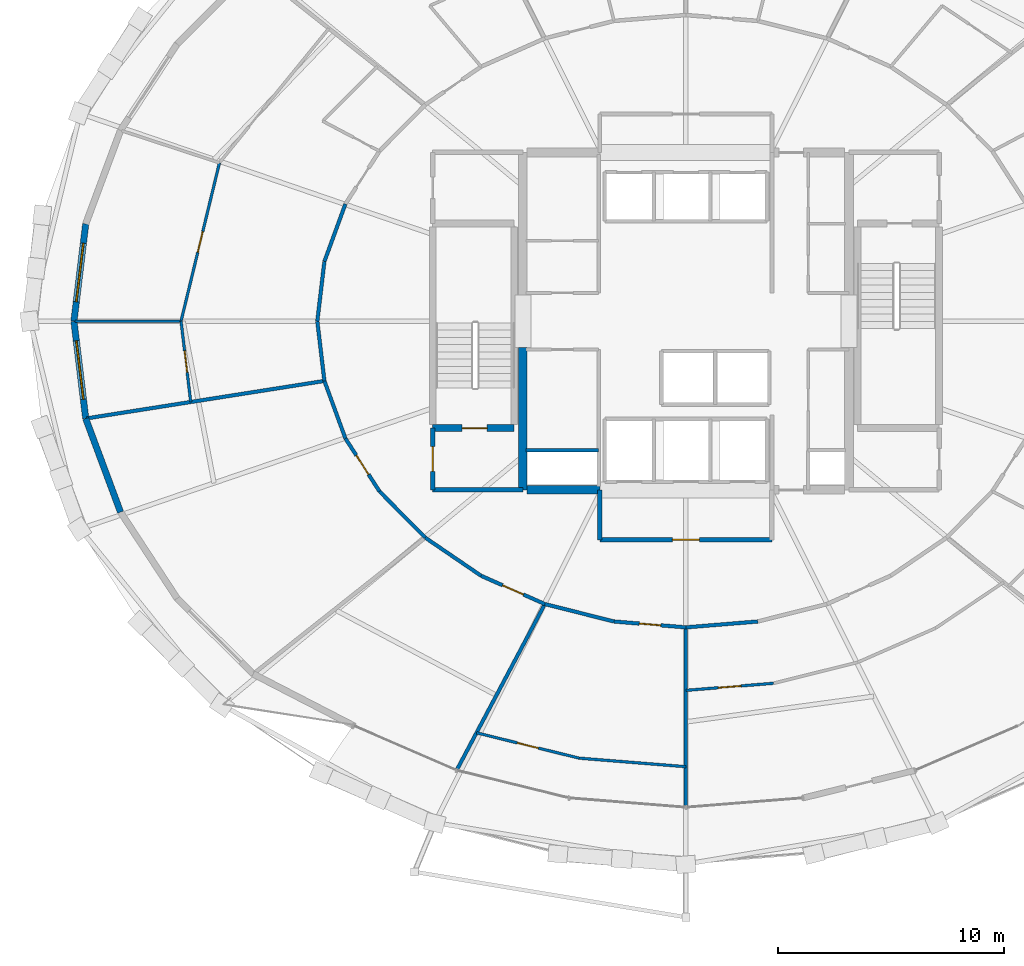
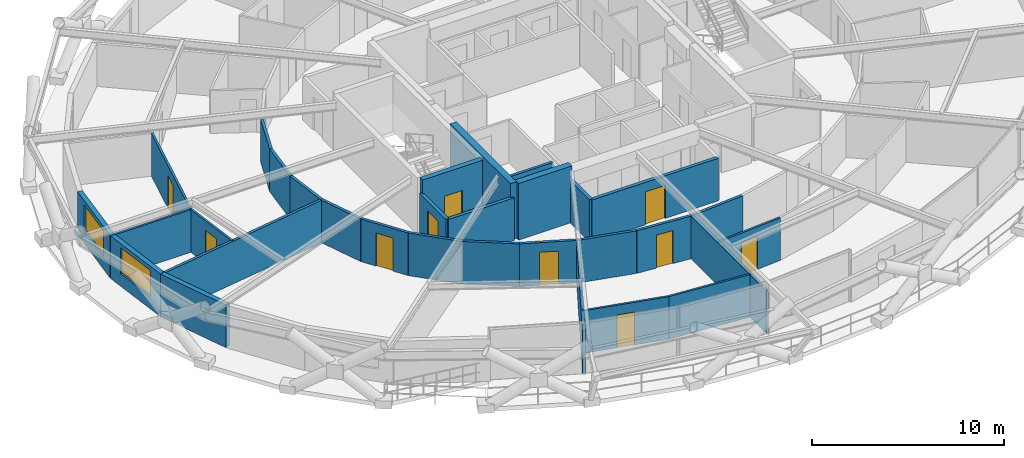
# One storey, part 13 of 20: 31 walls, 10 doors, 2 windows, 12 openings.
"""IFC4 building model written with IfcOpenShell, lengths in metres."""

from ifc_helpers import new_model, si_unit, direction, frame, frame_2d, origin, place, context, subcontext, project, spatial, rectangle, extrude, material, layer, layer_set, type_object, element, fill, save


model = new_model("IFC4")

# Units and contexts
model_context = context("Model", 3, precision=1e-05, world=origin(), true_north=direction((0.0, 1.0)))
body_context = subcontext(model_context, "Body", "Model", "MODEL_VIEW")
ifc_project = project(units=[si_unit("LENGTHUNIT", "METRE"), si_unit("AREAUNIT", "SQUARE_METRE"), si_unit("VOLUMEUNIT", "CUBIC_METRE"), si_unit("PLANEANGLEUNIT", "RADIAN"), si_unit("MASSUNIT", "GRAM", prefix="KILO")], contexts=[model_context])

# Site, building, storey
site_placement = place(None, origin())
site = spatial("IfcSite", under=ifc_project, at=site_placement, CompositionType="ELEMENT")
building_placement = place(site_placement, origin())
building = spatial("IfcBuilding", under=site, at=building_placement, Name="Veldorina Hangang Commons", CompositionType="ELEMENT")
storey_placement = place(building_placement, frame((0.0, 0.0, 84.39990234375)))
storey = spatial("IfcBuildingStorey", under=building, at=storey_placement, Name="L21", CompositionType="ELEMENT", Elevation=84.39990234375)

# Walls
ifc_material_1 = material(Name="Concrete C70/85", Category="concrete")
ifc_layer_1 = layer(ifc_material_1, 0.3798828125)
ifc_layer_set_1 = layer_set([ifc_layer_1], Name="Concrete C70/85")
wall_type_1 = type_object("IfcWallType", Name="CW-RC380-C70", PredefinedType="SHEAR", material=ifc_layer_set_1)
wall_1_placement = place(storey_placement, frame((24.800048828125, 16.550048828125, 0.0), z_axis=(0.0, 0.0, 1.0), x_axis=(0.0, 1.0, 0.0)))
element("IfcWall", 1, at=wall_1_placement, inside=storey, type_object=wall_type_1, Name="L21 W south core shear wall", PredefinedType="SHEAR", context=body_context, shape_type="SweptSolid", body=[
    extrude(rectangle(XDim=6.300048828125, YDim=0.3798828125, at=frame_2d((3.14990234375, 0.0))), origin(), (0.0, 0.0, 1.0), 3.60009765625),
])
wall_2_placement = place(storey_placement, frame((24.989990234375, 16.550048828125, 0.0), z_axis=(0.0, 0.0, 1.0), x_axis=(1.0, 0.0, 0.0)))
element("IfcWall", 2, at=wall_2_placement, inside=storey, type_object=wall_type_1, Name="L21 south-west core shear wall", PredefinedType="SHEAR", context=body_context, shape_type="SweptSolid", body=[
    extrude(rectangle(XDim=3.2099609375, YDim=0.3798828125, at=frame_2d((1.60498046875, 0.0))), origin(), (0.0, 0.0, 1.0), 3.60009765625),
])

# Wall, opening, window
ifc_material_2 = material(Name="Stone Roman Travertine", Category="masonry")
ifc_layer_2 = layer(ifc_material_2, 0.280029296875)
ifc_layer_set_2 = layer_set([ifc_layer_2], Name="Stone Roman Travertine")
wall_type_2 = type_object("IfcWallType", Name="EW-TRAV-280", PredefinedType="STANDARD", material=ifc_layer_set_2)
wall_3_placement = place(storey_placement, frame((5.500244140625, 28.296875, 0.0), z_axis=(0.0, 0.0, 1.0), x_axis=(-0.119979283707, -0.99277639551, 0.0)))
wall_3 = element("IfcWall", 3, at=wall_3_placement, inside=storey, type_object=wall_type_2, Name="L21 travertine facade wall 15", PredefinedType="STANDARD", context=body_context, shape_type="SweptSolid", body=[
    extrude(rectangle(XDim=4.328125, YDim=0.280029296875, at=frame_2d((2.1640625, 0.0))), origin(), (0.0, 0.0, 1.0), 2.710205078125),
])
opening_1_placement = place(wall_3_placement, frame((0.864013671875, 0.0, 0.800048828125)))
opening_1 = element("IfcOpeningElement", 4, at=opening_1_placement, cuts=wall_3, Name="Opening W-02", PredefinedType="OPENING", context=body_context, shape_type="SweptSolid", body=[
    extrude(rectangle(XDim=2.60009765625, YDim=1.64990234375, at=frame_2d((1.300048828125, 0.824951171875))), frame((0.0, 0.14990234375, 0.0), z_axis=(0.0, -1.0, 0.0), x_axis=(1.0, 0.0, 0.0)), (0.0, 0.0, 1.0), 0.300048828125),
])
ifc_material_3 = material(Name="Glass Low-E Triple IGU", Category="glass")
window_type = type_object("IfcWindowType", Name="WIN-TWR-2600", PartitioningType="SINGLE_PANEL", PredefinedType="WINDOW", material=ifc_material_3)
window_1_placement = place(opening_1_placement, origin())
window_1 = element("IfcWindow", 5, at=window_1_placement, inside=storey, type_object=window_type, Name="L21 facade window 15", OverallHeight=1.64990234375, OverallWidth=2.60009765625, PartitioningType="SINGLE_PANEL", PredefinedType="WINDOW", context=body_context, shape_type="SweptSolid", body=[
    extrude(rectangle(XDim=2.60009765625, YDim=1.64990234375, at=frame_2d((1.300048828125, 0.824951171875))), frame((0.0, 0.030029296875, 0.0), z_axis=(0.0, -1.0, 0.0), x_axis=(1.0, 0.0, 0.0)), (0.0, 0.0, 1.0), 0.06005859375),
])
fill(opening_1, window_1)

wall_4_placement = place(storey_placement, frame((4.98095703125, 24.0, 0.0), z_axis=(0.0, 0.0, 1.0), x_axis=(0.119979283707, -0.99277639551, 0.0)))
wall_4 = element("IfcWall", 6, at=wall_4_placement, inside=storey, type_object=wall_type_2, Name="L21 travertine facade wall 16", PredefinedType="STANDARD", context=body_context, shape_type="SweptSolid", body=[
    extrude(rectangle(XDim=4.328125, YDim=0.280029296875, at=frame_2d((2.1640625, 0.0))), origin(), (0.0, 0.0, 1.0), 2.710205078125),
])
opening_2_placement = place(wall_4_placement, frame((0.864013671875, 0.0, 0.800048828125)))
opening_2 = element("IfcOpeningElement", 7, at=opening_2_placement, cuts=wall_4, Name="Opening W-02", PredefinedType="OPENING", context=body_context, shape_type="SweptSolid", body=[
    extrude(rectangle(XDim=2.60009765625, YDim=1.64990234375, at=frame_2d((1.300048828125, 0.824951171875))), frame((0.0, 0.14990234375, 0.0), z_axis=(0.0, -1.0, 0.0), x_axis=(1.0, 0.0, 0.0)), (0.0, 0.0, 1.0), 0.300048828125),
])
window_2_placement = place(opening_2_placement, origin())
window_2 = element("IfcWindow", 8, at=window_2_placement, inside=storey, type_object=window_type, Name="L21 facade window 16", OverallHeight=1.64990234375, OverallWidth=2.60009765625, PartitioningType="SINGLE_PANEL", PredefinedType="WINDOW", context=body_context, shape_type="SweptSolid", body=[
    extrude(rectangle(XDim=2.60009765625, YDim=1.64990234375, at=frame_2d((1.300048828125, 0.824951171875))), frame((0.0, 0.030029296875, 0.0), z_axis=(0.0, -1.0, 0.0), x_axis=(1.0, 0.0, 0.0)), (0.0, 0.0, 1.0), 0.06005859375),
])
fill(opening_2, window_2)

# Wall
wall_5_placement = place(storey_placement, frame((5.500244140625, 19.703125, 0.0), z_axis=(0.0, 0.0, 1.0), x_axis=(0.348719005739, -0.937227323031, 0.0)))
element("IfcWall", 9, at=wall_5_placement, inside=storey, type_object=wall_type_2, Name="L21 travertine facade wall 17", PredefinedType="STANDARD", context=body_context, shape_type="SweptSolid", body=[
    extrude(rectangle(XDim=4.40869140625, YDim=0.280029296875, at=frame_2d((2.204345703125, 0.0))), origin(), (0.0, 0.0, 1.0), 2.710205078125),
])

# Wall, opening, door
ifc_material_4 = material(Name="Concrete C50/60", Category="concrete")
ifc_layer_3 = layer(ifc_material_4, 0.300048828125)
ifc_layer_set_3 = layer_set([ifc_layer_3], Name="Concrete C50/60")
wall_type_3 = type_object("IfcWallType", Name="SW-STAIR-300", PredefinedType="SHEAR", material=ifc_layer_set_3)
wall_6_placement = place(storey_placement, frame((20.820068359375, 19.280029296875, 0.0), z_axis=(0.0, 0.0, 1.0), x_axis=(1.0, 0.0, 0.0)))
wall_6 = element("IfcWall", 10, at=wall_6_placement, inside=storey, type_object=wall_type_3, Name="L21 ST1 south stair shear wall", PredefinedType="SHEAR", context=body_context, shape_type="SweptSolid", body=[
    extrude(rectangle(XDim=3.599853515625, YDim=0.300048828125, at=frame_2d((1.7998046875, 0.0))), origin(), (0.0, 0.0, 1.0), 3.60009765625),
])
opening_3_placement = place(wall_6_placement, frame((1.300048828125, 0.0, 0.0)))
opening_3 = element("IfcOpeningElement", 11, at=opening_3_placement, cuts=wall_6, Name="Opening D-08", PredefinedType="OPENING", context=body_context, shape_type="SweptSolid", body=[
    extrude(rectangle(XDim=1.10009765625, YDim=2.10009765625, at=frame_2d((0.550048828125, 1.050048828125))), frame((0.0, 0.16015625, 0.0), z_axis=(0.0, -1.0, 0.0), x_axis=(1.0, 0.0, 0.0)), (0.0, 0.0, 1.0), 0.320068359375),
])
ifc_material_5 = material(Name="Steel Fire-Rated Smoke Seal", Category="steel")
door_type_1 = type_object("IfcDoorType", Name="DR-FIRE-1100", OperationType="SINGLE_SWING_RIGHT", PredefinedType="DOOR", material=ifc_material_5)
door_1_placement = place(opening_3_placement, origin())
door_1 = element("IfcDoor", 12, at=door_1_placement, inside=storey, type_object=door_type_1, Name="L21 Special Escape Stair ST-1 door", OperationType="SINGLE_SWING_LEFT", OverallHeight=2.10009765625, OverallWidth=1.10009765625, PredefinedType="DOOR", context=body_context, shape_type="SweptSolid", body=[
    extrude(rectangle(XDim=1.10009765625, YDim=2.10009765625, at=frame_2d((0.550048828125, 1.050048828125))), frame((0.0, 0.02490234375, 0.0), z_axis=(0.0, -1.0, 0.0), x_axis=(1.0, 0.0, 0.0)), (0.0, 0.0, 1.0), 0.050048828125),
])
fill(opening_3, door_1)

# Walls
ifc_material_6 = material(Name="Gypsum Fire-Rated Twin Stud Wall", Category="gypsum")
ifc_layer_4 = layer(ifc_material_6, 0.159912109375)
ifc_layer_set_4 = layer_set([ifc_layer_4], Name="Gypsum Fire-Rated Twin Stud Wall")
wall_type_4 = type_object("IfcWallType", Name="WL-FIRE-160", PredefinedType="SOLIDWALL", material=ifc_layer_set_4)
wall_7_placement = place(storey_placement, frame((24.949951171875, 18.300048828125, 0.0), z_axis=(0.0, 0.0, 1.0), x_axis=(1.0, 0.0, 0.0)))
element("IfcWall", 13, at=wall_7_placement, inside=storey, type_object=wall_type_4, Name="L21 Electrical riser wall 035", PredefinedType="SOLIDWALL", context=body_context, shape_type="SweptSolid", body=[
    extrude(rectangle(XDim=3.199951171875, YDim=0.159912109375, at=frame_2d((1.60009765625, 0.0))), origin(), (0.0, 0.0, 1.0), 2.710205078125),
])
wall_8_placement = place(storey_placement, frame((16.96484375, 29.173095703125, 0.0), z_axis=(0.0, 0.0, 1.0), x_axis=(-0.343013437329, -0.939330496583, 0.0)))
element("IfcWall", 14, at=wall_8_placement, inside=storey, type_object=wall_type_4, Name="L21 Corridor outer wall 14 061", PredefinedType="SOLIDWALL", context=body_context, shape_type="SweptSolid", body=[
    extrude(rectangle(XDim=2.69970703125, YDim=0.159912109375, at=frame_2d((1.349853515625, 0.0))), origin(), (0.0, 0.0, 1.0), 2.710205078125),
])
for number, where, z_axis, x_axis, name in (
    (15, (16.038818359375, 26.63720703125, 0.0), (0.0, 0.0, 1.0), (-0.117763961213, -0.99304161516, 0.0), "L21 Corridor outer wall 15 062"),
    (16, (15.72607421875, 24.0, 0.0), (0.0, 0.0, 1.0), (0.117763961213, -0.99304161516, 0.0), "L21 Corridor outer wall 16 063"),
):
    element("IfcWall", number, at=place(storey_placement, frame(where, z_axis=z_axis, x_axis=x_axis)), inside=storey, type_object=wall_type_4, Name=name, PredefinedType="SOLIDWALL", context=body_context, shape_type="SweptSolid", body=[
        extrude(rectangle(XDim=2.65576171875, YDim=0.159912109375, at=frame_2d((1.327880859375, 0.0))), origin(), (0.0, 0.0, 1.0), 2.710205078125),
    ])
wall_9_placement = place(storey_placement, frame((16.038818359375, 21.36279296875, 0.0), z_axis=(0.0, 0.0, 1.0), x_axis=(0.343013437329, -0.939330496583, 0.0)))
element("IfcWall", 17, at=wall_9_placement, inside=storey, type_object=wall_type_4, Name="L21 Corridor outer wall 17 064", PredefinedType="SOLIDWALL", context=body_context, shape_type="SweptSolid", body=[
    extrude(rectangle(XDim=2.69970703125, YDim=0.159912109375, at=frame_2d((1.349853515625, 0.0))), origin(), (0.0, 0.0, 1.0), 2.710205078125),
])

# Wall, opening, door
wall_10_placement = place(storey_placement, frame((16.96484375, 18.826904296875, 0.0), z_axis=(0.0, 0.0, 1.0), x_axis=(0.541126045017, -0.840941498206, 0.0)))
wall_10 = element("IfcWall", 18, at=wall_10_placement, inside=storey, type_object=wall_type_4, Name="L21 Corridor outer wall 18 065", PredefinedType="SOLIDWALL", context=body_context, shape_type="SweptSolid", body=[
    extrude(rectangle(XDim=2.779296875, YDim=0.159912109375, at=frame_2d((1.3896484375, 0.0))), origin(), (0.0, 0.0, 1.0), 2.710205078125),
])
opening_4_placement = place(wall_10_placement, frame((0.8896484375, 0.0, 0.0)))
opening_4 = element("IfcOpeningElement", 19, at=opening_4_placement, cuts=wall_10, Name="Opening D-05", PredefinedType="OPENING", context=body_context, shape_type="SweptSolid", body=[
    extrude(rectangle(XDim=1.0, YDim=2.10009765625, at=frame_2d((0.5, 1.050048828125))), frame((0.0, 0.08984375, 0.0), z_axis=(0.0, -1.0, 0.0), x_axis=(1.0, 0.0, 0.0)), (0.0, 0.0, 1.0), 0.179931640625),
])
ifc_material_7 = material(Name="Timber Solid Core Acoustic", Category="wood")
door_type_2 = type_object("IfcDoorType", Name="DR-INT-1000", OperationType="SINGLE_SWING_RIGHT", PredefinedType="DOOR", material=ifc_material_7)
door_2_placement = place(opening_4_placement, origin())
door_2 = element("IfcDoor", 20, at=door_2_placement, inside=storey, type_object=door_type_2, Name="L21 Floor Study Room 11 door 042", OperationType="SINGLE_SWING_RIGHT", OverallHeight=2.10009765625, OverallWidth=1.0, PredefinedType="DOOR", context=body_context, shape_type="SweptSolid", body=[
    extrude(rectangle(XDim=1.0, YDim=2.10009765625, at=frame_2d((0.5, 1.050048828125))), frame((0.0, 0.02490234375, 0.0), z_axis=(0.0, -1.0, 0.0), x_axis=(1.0, 0.0, 0.0)), (0.0, 0.0, 1.0), 0.050048828125),
])
fill(opening_4, door_2)

# Walls
wall_11_placement = place(storey_placement, frame((18.46875, 16.48974609375, 0.0), z_axis=(0.0, 0.0, 1.0), x_axis=(0.702811997, -0.711375636969, 0.0)))
element("IfcWall", 21, at=wall_11_placement, inside=storey, type_object=wall_type_4, Name="L21 Corridor outer wall 19 066", PredefinedType="SOLIDWALL", context=body_context, shape_type="SweptSolid", body=[
    extrude(rectangle(XDim=2.87939453125, YDim=0.159912109375, at=frame_2d((1.439697265625, 0.0))), origin(), (0.0, 0.0, 1.0), 2.710205078125),
])
wall_12_placement = place(storey_placement, frame((20.492431640625, 14.44140625, 0.0), z_axis=(0.0, 0.0, 1.0), x_axis=(0.826293096206, -0.56324037423, 0.0)))
element("IfcWall", 22, at=wall_12_placement, inside=storey, type_object=wall_type_4, Name="L21 Corridor outer wall 20 067", PredefinedType="SOLIDWALL", context=body_context, shape_type="SweptSolid", body=[
    extrude(rectangle(XDim=2.98486328125, YDim=0.159912109375, at=frame_2d((1.492431640625, 0.0))), origin(), (0.0, 0.0, 1.0), 2.710205078125),
])

# Wall, opening, door
wall_13_placement = place(storey_placement, frame((22.958740234375, 12.76025390625, 0.0), z_axis=(0.0, 0.0, 1.0), x_axis=(0.913952123493, -0.405822024984, 0.0)))
wall_13 = element("IfcWall", 23, at=wall_13_placement, inside=storey, type_object=wall_type_4, Name="L21 Corridor outer wall 21 068", PredefinedType="SOLIDWALL", context=body_context, shape_type="SweptSolid", body=[
    extrude(rectangle(XDim=3.078369140625, YDim=0.159912109375, at=frame_2d((1.5390625, 0.0))), origin(), (0.0, 0.0, 1.0), 2.710205078125),
])
opening_5_placement = place(wall_13_placement, frame((1.039306640625, 0.0, 0.0)))
opening_5 = element("IfcOpeningElement", 24, at=opening_5_placement, cuts=wall_13, Name="Opening D-05", PredefinedType="OPENING", context=body_context, shape_type="SweptSolid", body=[
    extrude(rectangle(XDim=1.0, YDim=2.10009765625, at=frame_2d((0.5, 1.050048828125))), frame((0.0, 0.08984375, 0.0), z_axis=(0.0, -1.0, 0.0), x_axis=(1.0, 0.0, 0.0)), (0.0, 0.0, 1.0), 0.179931640625),
])
door_3_placement = place(opening_5_placement, origin())
door_3 = element("IfcDoor", 25, at=door_3_placement, inside=storey, type_object=door_type_2, Name="L21 Seminar Focus Room 12 door 043", OperationType="SINGLE_SWING_LEFT", OverallHeight=2.10009765625, OverallWidth=1.0, PredefinedType="DOOR", context=body_context, shape_type="SweptSolid", body=[
    extrude(rectangle(XDim=1.0, YDim=2.10009765625, at=frame_2d((0.5, 1.050048828125))), frame((0.0, 0.02490234375, 0.0), z_axis=(0.0, -1.0, 0.0), x_axis=(1.0, 0.0, 0.0)), (0.0, 0.0, 1.0), 0.050048828125),
])
fill(opening_5, door_3)

# Wall
wall_14_placement = place(storey_placement, frame((25.772216796875, 11.510986328125, 0.0), z_axis=(0.0, 0.0, 1.0), x_axis=(0.969689238064, -0.244341526521, 0.0)))
element("IfcWall", 26, at=wall_14_placement, inside=storey, type_object=wall_type_4, Name="L21 Corridor outer wall 22 069", PredefinedType="SOLIDWALL", context=body_context, shape_type="SweptSolid", body=[
    extrude(rectangle(XDim=3.1484375, YDim=0.159912109375, at=frame_2d((1.57421875, 0.0))), origin(), (0.0, 0.0, 1.0), 2.710205078125),
])

# Wall, opening, door
wall_15_placement = place(storey_placement, frame((28.8251953125, 10.74169921875, 0.0), z_axis=(0.0, 0.0, 1.0), x_axis=(0.996669377538, -0.081548463373, 0.0)))
wall_15 = element("IfcWall", 27, at=wall_15_placement, inside=storey, type_object=wall_type_4, Name="L21 Corridor outer wall 23 070", PredefinedType="SOLIDWALL", context=body_context, shape_type="SweptSolid", body=[
    extrude(rectangle(XDim=3.185302734375, YDim=0.159912109375, at=frame_2d((1.5927734375, 0.0))), origin(), (0.0, 0.0, 1.0), 2.710205078125),
])
opening_6_placement = place(wall_15_placement, frame((1.117919921875, 0.0, 0.0)))
opening_6 = element("IfcOpeningElement", 28, at=opening_6_placement, cuts=wall_15, Name="Opening D-02", PredefinedType="OPENING", context=body_context, shape_type="SweptSolid", body=[
    extrude(rectangle(XDim=0.949951171875, YDim=2.10009765625, at=frame_2d((0.47509765625, 1.050048828125))), frame((0.0, 0.08984375, 0.0), z_axis=(0.0, -1.0, 0.0), x_axis=(1.0, 0.0, 0.0)), (0.0, 0.0, 1.0), 0.179931640625),
])
door_type_3 = type_object("IfcDoorType", Name="DR-INT-950", OperationType="SINGLE_SWING_LEFT", PredefinedType="DOOR", material=ifc_material_7)
door_4_placement = place(opening_6_placement, origin())
door_4 = element("IfcDoor", 29, at=door_4_placement, inside=storey, type_object=door_type_3, Name="L21 Linen drying store door 044", OperationType="SINGLE_SWING_RIGHT", OverallHeight=2.10009765625, OverallWidth=0.949951171875, PredefinedType="DOOR", context=body_context, shape_type="SweptSolid", body=[
    extrude(rectangle(XDim=0.949951171875, YDim=2.10009765625, at=frame_2d((0.47509765625, 1.050048828125))), frame((0.0, 0.02490234375, 0.0), z_axis=(0.0, -1.0, 0.0), x_axis=(1.0, 0.0, 0.0)), (0.0, 0.0, 1.0), 0.050048828125),
])
fill(opening_6, door_4)

# Walls
wall_16_placement = place(storey_placement, frame((32.0, 10.48193359375, 0.0), z_axis=(0.0, 0.0, 1.0), x_axis=(0.996669377538, 0.081548463373, 0.0)))
element("IfcWall", 30, at=wall_16_placement, inside=storey, type_object=wall_type_4, Name="L21 Corridor outer wall 24 071", PredefinedType="SOLIDWALL", context=body_context, shape_type="SweptSolid", body=[
    extrude(rectangle(XDim=3.185302734375, YDim=0.159912109375, at=frame_2d((1.5927734375, 0.0))), origin(), (0.0, 0.0, 1.0), 2.710205078125),
])
wall_17_placement = place(storey_placement, frame((32.0, 10.48193359375, 0.0), z_axis=(0.0, 0.0, 1.0), x_axis=(0.0, -1.0, 0.0)))
element("IfcWall", 31, at=wall_17_placement, inside=storey, type_object=wall_type_4, Name="L21 Unit party wall 24 079", PredefinedType="SOLIDWALL", context=body_context, shape_type="SweptSolid", body=[
    extrude(rectangle(XDim=7.897216796875, YDim=0.159912109375, at=frame_2d((3.94873046875, 0.0))), origin(), (0.0, 0.0, 1.0), 2.710205078125),
])
wall_18_placement = place(storey_placement, frame((16.038818359375, 21.36279296875, 0.0), z_axis=(0.0, 0.0, 1.0), x_axis=(-0.987825895071, -0.15556349516, 0.0)))
element("IfcWall", 32, at=wall_18_placement, inside=storey, type_object=wall_type_4, Name="L21 Unit party wall 17 116", PredefinedType="SOLIDWALL", context=body_context, shape_type="SweptSolid", body=[
    extrude(rectangle(XDim=10.618408203125, YDim=0.159912109375, at=frame_2d((5.30908203125, 0.0))), origin(), (0.0, 0.0, 1.0), 2.710205078125),
])
wall_19_placement = place(storey_placement, frame((25.772216796875, 11.510986328125, 0.0), z_axis=(0.0, 0.0, 1.0), x_axis=(-0.468886600341, -0.883258374441, 0.0)))
element("IfcWall", 33, at=wall_19_placement, inside=storey, type_object=wall_type_4, Name="L21 Unit party wall 22 118", PredefinedType="SOLIDWALL", context=body_context, shape_type="SweptSolid", body=[
    extrude(rectangle(XDim=8.2626953125, YDim=0.159912109375, at=frame_2d((4.13134765625, 0.0))), origin(), (0.0, 0.0, 1.0), 2.710205078125),
])

# Wall, opening, door
ifc_material_8 = material(Name="Concrete Blockwork Fire Wall C30/37", Category="masonry")
ifc_layer_5 = layer(ifc_material_8, 0.199951171875)
ifc_layer_set_5 = layer_set([ifc_layer_5], Name="Concrete Blockwork Fire Wall C30/37")
wall_type_5 = type_object("IfcWallType", Name="WL-FIRE-200", PredefinedType="SOLIDWALL", material=ifc_layer_set_5)
wall_20_placement = place(storey_placement, frame((20.820068359375, 16.550048828125, 0.0), z_axis=(0.0, 0.0, 1.0), x_axis=(0.0, 1.0, 0.0)))
wall_20 = element("IfcWall", 34, at=wall_20_placement, inside=storey, type_object=wall_type_5, Name="L21 West vestibule outer wall 001", PredefinedType="SOLIDWALL", context=body_context, shape_type="SweptSolid", body=[
    extrude(rectangle(XDim=2.72998046875, YDim=0.199951171875, at=frame_2d((1.364990234375, 0.0))), origin(), (0.0, 0.0, 1.0), 2.710205078125),
])
opening_7_placement = place(wall_20_placement, frame((0.81494140625, 0.0, 0.0)))
opening_7 = element("IfcOpeningElement", 35, at=opening_7_placement, cuts=wall_20, Name="Opening D-08", PredefinedType="OPENING", context=body_context, shape_type="SweptSolid", body=[
    extrude(rectangle(XDim=1.10009765625, YDim=2.10009765625, at=frame_2d((0.550048828125, 1.050048828125))), frame((0.0, 0.10986328125, 0.0), z_axis=(0.0, -1.0, 0.0), x_axis=(1.0, 0.0, 0.0)), (0.0, 0.0, 1.0), 0.219970703125),
])
door_5_placement = place(opening_7_placement, origin())
door_5 = element("IfcDoor", 36, at=door_5_placement, inside=storey, type_object=door_type_1, Name="L21 West vestibule west door 001", OperationType="SINGLE_SWING_LEFT", OverallHeight=2.10009765625, OverallWidth=1.10009765625, PredefinedType="DOOR", context=body_context, shape_type="SweptSolid", body=[
    extrude(rectangle(XDim=1.10009765625, YDim=2.10009765625, at=frame_2d((0.550048828125, 1.050048828125))), frame((0.0, 0.02490234375, 0.0), z_axis=(0.0, -1.0, 0.0), x_axis=(1.0, 0.0, 0.0)), (0.0, 0.0, 1.0), 0.050048828125),
])
fill(opening_7, door_5)

# Walls
wall_21_placement = place(storey_placement, frame((20.820068359375, 16.550048828125, 0.0), z_axis=(0.0, 0.0, 1.0), x_axis=(1.0, 0.0, 0.0)))
element("IfcWall", 37, at=wall_21_placement, inside=storey, type_object=wall_type_5, Name="L21 West vestibule south wall 002", PredefinedType="SOLIDWALL", context=body_context, shape_type="SweptSolid", body=[
    extrude(rectangle(XDim=3.97998046875, YDim=0.199951171875, at=frame_2d((1.989990234375, 0.0))), origin(), (0.0, 0.0, 1.0), 2.710205078125),
])
wall_22_placement = place(storey_placement, frame((28.199951171875, 14.35009765625, 0.0), z_axis=(0.0, 0.0, 1.0), x_axis=(0.0, 1.0, 0.0)))
element("IfcWall", 38, at=wall_22_placement, inside=storey, type_object=wall_type_5, Name="L21 FF lobby west wall 012", PredefinedType="SOLIDWALL", context=body_context, shape_type="SweptSolid", body=[
    extrude(rectangle(XDim=2.199951171875, YDim=0.199951171875, at=frame_2d((1.10009765625, 0.0))), origin(), (0.0, 0.0, 1.0), 2.710205078125),
])

# Wall, opening, door
wall_23_placement = place(storey_placement, frame((28.199951171875, 14.35009765625, 0.0), z_axis=(0.0, 0.0, 1.0), x_axis=(1.0, 0.0, 0.0)))
wall_23 = element("IfcWall", 39, at=wall_23_placement, inside=storey, type_object=wall_type_5, Name="L21 FF lobby south wall 014", PredefinedType="SOLIDWALL", context=body_context, shape_type="SweptSolid", body=[
    extrude(rectangle(XDim=7.60009765625, YDim=0.199951171875, at=frame_2d((3.800048828125, 0.0))), origin(), (0.0, 0.0, 1.0), 2.710205078125),
])
opening_8_placement = place(wall_23_placement, frame((3.199951171875, 0.0, 0.0)))
opening_8 = element("IfcOpeningElement", 40, at=opening_8_placement, cuts=wall_23, Name="Opening D-09", PredefinedType="OPENING", context=body_context, shape_type="SweptSolid", body=[
    extrude(rectangle(XDim=1.199951171875, YDim=2.10009765625, at=frame_2d((0.60009765625, 1.050048828125))), frame((0.0, 0.10986328125, 0.0), z_axis=(0.0, -1.0, 0.0), x_axis=(1.0, 0.0, 0.0)), (0.0, 0.0, 1.0), 0.219970703125),
])
ifc_material_9 = material(Name="Steel Fire-Rated Corridor Door", Category="steel")
door_type_4 = type_object("IfcDoorType", Name="DR-FIRE-1200", OperationType="SINGLE_SWING_LEFT", PredefinedType="DOOR", material=ifc_material_9)
door_6_placement = place(opening_8_placement, origin())
door_6 = element("IfcDoor", 41, at=door_6_placement, inside=storey, type_object=door_type_4, Name="L21 FF lobby south corridor door 005", OperationType="SINGLE_SWING_LEFT", OverallHeight=2.10009765625, OverallWidth=1.199951171875, PredefinedType="DOOR", context=body_context, shape_type="SweptSolid", body=[
    extrude(rectangle(XDim=1.199951171875, YDim=2.10009765625, at=frame_2d((0.60009765625, 1.050048828125))), frame((0.0, 0.02490234375, 0.0), z_axis=(0.0, -1.0, 0.0), x_axis=(1.0, 0.0, 0.0)), (0.0, 0.0, 1.0), 0.050048828125),
])
fill(opening_8, door_6)

ifc_material_10 = material(Name="Gypsum Acoustic Stud Partition", Category="gypsum")
ifc_layer_6 = layer(ifc_material_10, 0.1201171875)
ifc_layer_set_6 = layer_set([ifc_layer_6], Name="Gypsum Acoustic Stud Partition")
wall_type_6 = type_object("IfcWallType", Name="WL-PART-120", PredefinedType="PARTITIONING", material=ifc_layer_set_6)
wall_24_placement = place(storey_placement, frame((32.0, 7.700439453125, 0.0), z_axis=(0.0, 0.0, 1.0), x_axis=(0.996741082565, 0.080667306436, 0.0)))
wall_24 = element("IfcWall", 42, at=wall_24_placement, inside=storey, type_object=wall_type_6, Name="L21 Lounge alcove split 0 080", PredefinedType="PARTITIONING", context=body_context, shape_type="SweptSolid", body=[
    extrude(rectangle(XDim=3.883056640625, YDim=0.1201171875, at=frame_2d((1.94140625, 0.0))), origin(), (0.0, 0.0, 1.0), 2.710205078125),
])
opening_9_placement = place(wall_24_placement, frame((1.441650390625, 0.0, 0.0)))
opening_9 = element("IfcOpeningElement", 43, at=opening_9_placement, cuts=wall_24, Name="Opening D-05", PredefinedType="OPENING", context=body_context, shape_type="SweptSolid", body=[
    extrude(rectangle(XDim=1.0, YDim=2.10009765625, at=frame_2d((0.5, 1.050048828125))), frame((0.0, 0.070068359375, 0.0), z_axis=(0.0, -1.0, 0.0), x_axis=(1.0, 0.0, 0.0)), (0.0, 0.0, 1.0), 0.14013671875),
])
door_7_placement = place(opening_9_placement, origin())
door_7 = element("IfcDoor", 44, at=door_7_placement, inside=storey, type_object=door_type_2, Name="L21 Commons lounge door 020", OperationType="SINGLE_SWING_RIGHT", OverallHeight=2.10009765625, OverallWidth=1.0, PredefinedType="DOOR", context=body_context, shape_type="SweptSolid", body=[
    extrude(rectangle(XDim=1.0, YDim=2.10009765625, at=frame_2d((0.5, 1.050048828125))), frame((0.0, 0.02490234375, 0.0), z_axis=(0.0, -1.0, 0.0), x_axis=(1.0, 0.0, 0.0)), (0.0, 0.0, 1.0), 0.050048828125),
])
fill(opening_9, door_7)

wall_25_placement = place(storey_placement, frame((11.405517578125, 30.99609375, 0.0), z_axis=(0.0, 0.0, 1.0), x_axis=(-0.235699029551, -0.971826099397, 0.0)))
wall_25 = element("IfcWall", 45, at=wall_25_placement, inside=storey, type_object=wall_type_6, Name="L21 Cluster 10 bed 2 front wall 112", PredefinedType="PARTITIONING", context=body_context, shape_type="SweptSolid", body=[
    extrude(rectangle(XDim=7.198974609375, YDim=0.1201171875, at=frame_2d((3.599609375, 0.0))), origin(), (0.0, 0.0, 1.0), 2.710205078125),
])
opening_10_placement = place(wall_25_placement, frame((3.12451171875, 0.0, 0.0)))
opening_10 = element("IfcOpeningElement", 46, at=opening_10_placement, cuts=wall_25, Name="Opening D-02", PredefinedType="OPENING", context=body_context, shape_type="SweptSolid", body=[
    extrude(rectangle(XDim=0.949951171875, YDim=2.10009765625, at=frame_2d((0.47509765625, 1.050048828125))), frame((0.0, 0.070068359375, 0.0), z_axis=(0.0, -1.0, 0.0), x_axis=(1.0, 0.0, 0.0)), (0.0, 0.0, 1.0), 0.14013671875),
])
door_8_placement = place(opening_10_placement, origin())
door_8 = element("IfcDoor", 47, at=door_8_placement, inside=storey, type_object=door_type_3, Name="L21 Cluster 10 bed 2 door 040", OperationType="SINGLE_SWING_RIGHT", OverallHeight=2.10009765625, OverallWidth=0.949951171875, PredefinedType="DOOR", context=body_context, shape_type="SweptSolid", body=[
    extrude(rectangle(XDim=0.949951171875, YDim=2.10009765625, at=frame_2d((0.47509765625, 1.050048828125))), frame((0.0, 0.02490234375, 0.0), z_axis=(0.0, -1.0, 0.0), x_axis=(1.0, 0.0, 0.0)), (0.0, 0.0, 1.0), 0.050048828125),
])
fill(opening_10, door_8)

wall_26_placement = place(storey_placement, frame((9.708740234375, 24.0, 0.0), z_axis=(0.0, 0.0, 1.0), x_axis=(0.119273854906, -0.992861393919, 0.0)))
wall_26 = element("IfcWall", 48, at=wall_26_placement, inside=storey, type_object=wall_type_6, Name="L21 Cluster 10 bed 3 front wall 114", PredefinedType="PARTITIONING", context=body_context, shape_type="SweptSolid", body=[
    extrude(rectangle(XDim=3.59228515625, YDim=0.1201171875, at=frame_2d((1.796142578125, 0.0))), origin(), (0.0, 0.0, 1.0), 2.710205078125),
])
opening_11_placement = place(wall_26_placement, frame((1.321044921875, 0.0, 0.0)))
opening_11 = element("IfcOpeningElement", 49, at=opening_11_placement, cuts=wall_26, Name="Opening D-02", PredefinedType="OPENING", context=body_context, shape_type="SweptSolid", body=[
    extrude(rectangle(XDim=0.949951171875, YDim=2.10009765625, at=frame_2d((0.47509765625, 1.050048828125))), frame((0.0, 0.070068359375, 0.0), z_axis=(0.0, -1.0, 0.0), x_axis=(1.0, 0.0, 0.0)), (0.0, 0.0, 1.0), 0.14013671875),
])
door_9_placement = place(opening_11_placement, origin())
door_9 = element("IfcDoor", 50, at=door_9_placement, inside=storey, type_object=door_type_3, Name="L21 Cluster 10 bed 3 door 041", OperationType="SINGLE_SWING_LEFT", OverallHeight=2.10009765625, OverallWidth=0.949951171875, PredefinedType="DOOR", context=body_context, shape_type="SweptSolid", body=[
    extrude(rectangle(XDim=0.949951171875, YDim=2.10009765625, at=frame_2d((0.47509765625, 1.050048828125))), frame((0.0, 0.02490234375, 0.0), z_axis=(0.0, -1.0, 0.0), x_axis=(1.0, 0.0, 0.0)), (0.0, 0.0, 1.0), 0.050048828125),
])
fill(opening_11, door_9)

# Wall
wall_27_placement = place(storey_placement, frame((9.708740234375, 24.0, 0.0), z_axis=(0.0, 0.0, 1.0), x_axis=(-1.0, 0.0, 0.0)))
element("IfcWall", 51, at=wall_27_placement, inside=storey, type_object=wall_type_6, Name="L21 Cluster 10 bed divider 2 115", PredefinedType="PARTITIONING", context=body_context, shape_type="SweptSolid", body=[
    extrude(rectangle(XDim=4.677734375, YDim=0.1201171875, at=frame_2d((2.3388671875, 0.0))), origin(), (0.0, 0.0, 1.0), 2.710205078125),
])

# Wall, opening, door
wall_28_placement = place(storey_placement, frame((22.7548828125, 5.8271484375, 0.0), z_axis=(0.0, 0.0, 1.0), x_axis=(0.970824657703, -0.239790500219, 0.0)))
wall_28 = element("IfcWall", 52, at=wall_28_placement, inside=storey, type_object=wall_type_6, Name="L21 Laundry split 0 119", PredefinedType="PARTITIONING", context=body_context, shape_type="SweptSolid", body=[
    extrude(rectangle(XDim=4.668212890625, YDim=0.1201171875, at=frame_2d((2.333984375, 0.0))), origin(), (0.0, 0.0, 1.0), 2.710205078125),
])
opening_12_placement = place(wall_28_placement, frame((1.85888671875, 0.0, 0.0)))
opening_12 = element("IfcOpeningElement", 53, at=opening_12_placement, cuts=wall_28, Name="Opening D-02", PredefinedType="OPENING", context=body_context, shape_type="SweptSolid", body=[
    extrude(rectangle(XDim=0.949951171875, YDim=2.10009765625, at=frame_2d((0.47509765625, 1.050048828125))), frame((0.0, 0.070068359375, 0.0), z_axis=(0.0, -1.0, 0.0), x_axis=(1.0, 0.0, 0.0)), (0.0, 0.0, 1.0), 0.14013671875),
])
door_10_placement = place(opening_12_placement, origin())
door_10 = element("IfcDoor", 54, at=door_10_placement, inside=storey, type_object=door_type_3, Name="L21 Resident laundry inner door 045", OperationType="SINGLE_SWING_LEFT", OverallHeight=2.10009765625, OverallWidth=0.949951171875, PredefinedType="DOOR", context=body_context, shape_type="SweptSolid", body=[
    extrude(rectangle(XDim=0.949951171875, YDim=2.10009765625, at=frame_2d((0.47509765625, 1.050048828125))), frame((0.0, 0.02490234375, 0.0), z_axis=(0.0, -1.0, 0.0), x_axis=(1.0, 0.0, 0.0)), (0.0, 0.0, 1.0), 0.050048828125),
])
fill(opening_12, door_10)

# Wall
wall_29_placement = place(storey_placement, frame((27.286865234375, 4.707763671875, 0.0), z_axis=(0.0, 0.0, 1.0), x_axis=(0.996800485308, -0.079929922365, 0.0)))
element("IfcWall", 55, at=wall_29_placement, inside=storey, type_object=wall_type_6, Name="L21 Laundry split 1 120", PredefinedType="PARTITIONING", context=body_context, shape_type="SweptSolid", body=[
    extrude(rectangle(XDim=4.728271484375, YDim=0.1201171875, at=frame_2d((2.3642578125, 0.0))), origin(), (0.0, 0.0, 1.0), 2.710205078125),
])

save(model, "model.ifc")
